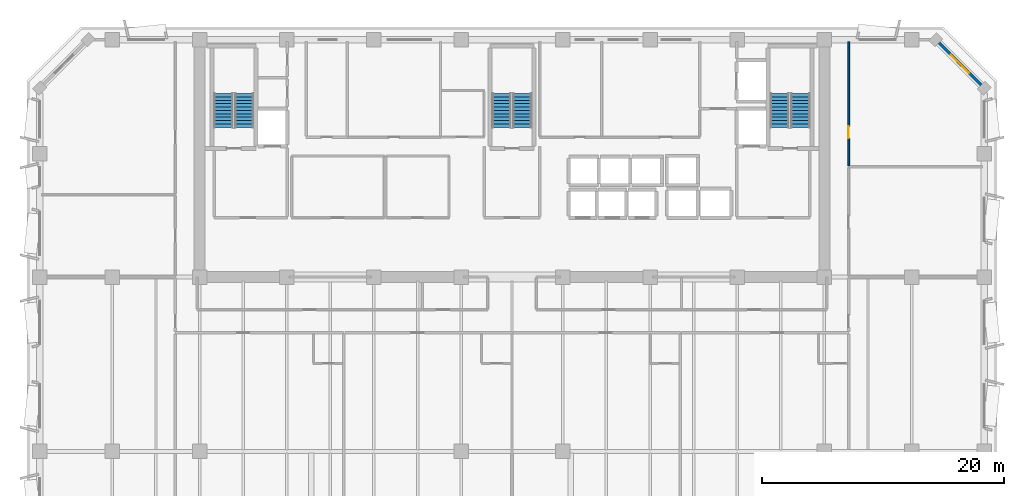
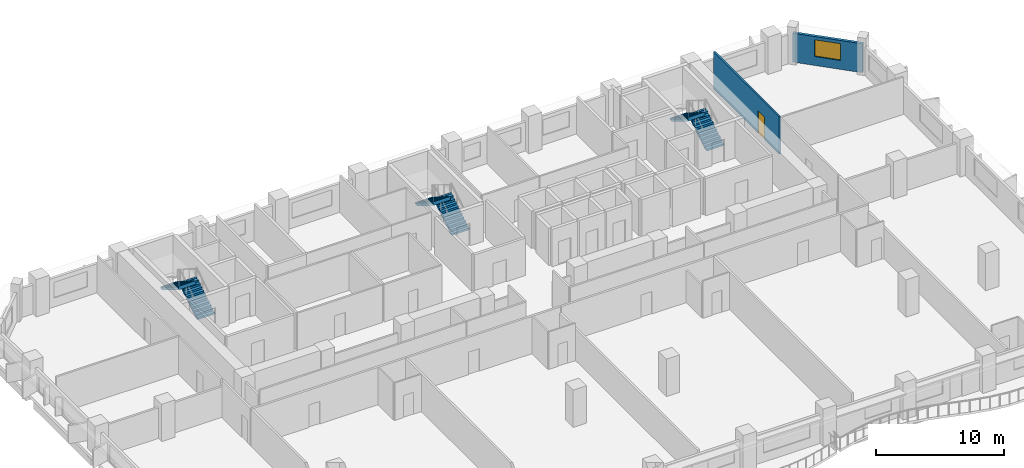
# One storey, part 9 of 14: 6 stair flights, 2 walls, 1 door, 1 window, 2 openings, 3 elements without a shape of their own.
"""IFC4 building model written with IfcOpenShell, lengths in metres."""

from ifc_helpers import new_model, si_unit, direction, frame, frame_2d, origin, place, context, subcontext, project, spatial, polyline, rectangle, outline, extrude, material, layer, layer_set, type_object, element, fill, aggregate, save


model = new_model("IFC4")

# Units and contexts
model_context = context("Model", 3, precision=1e-05, world=origin(), true_north=direction((0.0, 1.0)))
body_context = subcontext(model_context, "Body", "Model", "MODEL_VIEW")
ifc_project = project(units=[si_unit("LENGTHUNIT", "METRE"), si_unit("AREAUNIT", "SQUARE_METRE"), si_unit("VOLUMEUNIT", "CUBIC_METRE"), si_unit("PLANEANGLEUNIT", "RADIAN"), si_unit("MASSUNIT", "GRAM", prefix="KILO")], contexts=[model_context])

# Site, building, storey
site_placement = place(None, origin())
site = spatial("IfcSite", under=ifc_project, at=site_placement, CompositionType="ELEMENT")
building_placement = place(site_placement, origin())
building = spatial("IfcBuilding", under=site, at=building_placement, Name="Kaelvorn Grand Hotel", CompositionType="ELEMENT")
storey_placement = place(building_placement, frame((0.0, 0.0, 212.949951171875)))
storey = spatial("IfcBuildingStorey", under=building, at=storey_placement, Name="L52", CompositionType="ELEMENT", Elevation=212.949951171875)

# Wall, opening, window
ifc_material_1 = material(Name="Concrete C40/50", Category="concrete")
ifc_layer_1 = layer(ifc_material_1, 0.239990234375)
ifc_layer_set_1 = layer_set([ifc_layer_1], Name="Concrete C40/50")
wall_type_1 = type_object("IfcWallType", Name="WL-EXT-240-C40", PredefinedType="SOLIDWALL", material=ifc_layer_set_1)
wall_1_placement = place(storey_placement, frame((81.0, 45.0, 0.0), z_axis=(0.0, 0.0, 1.0), x_axis=(-0.707106781187, 0.707106781187, 0.0)))
wall_1 = element("IfcWall", 1, at=wall_1_placement, inside=storey, type_object=wall_type_1, Name="L52 Exterior Architectural Concrete Wall 04", PredefinedType="SOLIDWALL", context=body_context, shape_type="SweptSolid", body=[
    extrude(rectangle(XDim=5.65673828125, YDim=0.239990234375, at=frame_2d((2.828369140625, 0.0))), origin(), (0.0, 0.0, 1.0), 2.760009765625),
])
opening_1_placement = place(wall_1_placement, frame((1.7783203125, 0.0, 0.85009765625)))
opening_1 = element("IfcOpeningElement", 2, at=opening_1_placement, cuts=wall_1, Name="Opening W7", PredefinedType="OPENING", context=body_context, shape_type="SweptSolid", body=[
    extrude(rectangle(XDim=2.10009765625, YDim=1.60009765625, at=frame_2d((1.050048828125, 0.800048828125))), frame((0.0, 0.1298828125, 0.0), z_axis=(0.0, -1.0, 0.0), x_axis=(1.0, 0.0, 0.0)), (0.0, 0.0, 1.0), 0.260009765625),
])
ifc_material_2 = material(Name="Laminated Low-E Glass", Category="glass")
window_type = type_object("IfcWindowType", Name="WIN-CHM-2100x1600", PartitioningType="SINGLE_PANEL", PredefinedType="WINDOW", material=ifc_material_2)
window_placement = place(opening_1_placement, origin())
window = element("IfcWindow", 3, at=window_placement, inside=storey, type_object=window_type, Name="L52 Chamfered 45-Degree Corner Window NE", OverallHeight=1.60009765625, OverallWidth=2.10009765625, PartitioningType="SINGLE_PANEL", PredefinedType="WINDOW", context=body_context, shape_type="SweptSolid", body=[
    extrude(rectangle(XDim=2.10009765625, YDim=1.60009765625, at=frame_2d((1.050048828125, 0.800048828125))), frame((0.0, 0.030029296875, 0.0), z_axis=(0.0, -1.0, 0.0), x_axis=(1.0, 0.0, 0.0)), (0.0, 0.0, 1.0), 0.06005859375),
])
fill(opening_1, window)

# Wall, opening, door
ifc_material_3 = material(Name="Acoustic Gypsum & Stud Partition")
ifc_layer_2 = layer(ifc_material_3, 0.14990234375)
ifc_layer_set_2 = layer_set([ifc_layer_2], Name="Acoustic Gypsum & Stud Partition")
wall_type_2 = type_object("IfcWallType", Name="WL-PART-150-EI60", PredefinedType="PARTITIONING", material=ifc_layer_set_2)
wall_2_placement = place(storey_placement, frame((69.800048828125, 38.580078125, 0.0), z_axis=(0.0, 0.0, 1.0), x_axis=(0.0, 1.0, 0.0)))
wall_2 = element("IfcWall", 4, at=wall_2_placement, inside=storey, type_object=wall_type_2, Name="L52 North-East Botanical Conservatory Salon W Partition", PredefinedType="PARTITIONING", context=body_context, shape_type="SweptSolid", body=[
    extrude(rectangle(XDim=10.27001953125, YDim=0.14990234375, at=frame_2d((5.135009765625, 0.0))), origin(), (0.0, 0.0, 1.0), 3.56005859375),
])
opening_2_placement = place(wall_2_placement, frame((2.27001953125, 0.0, 0.0)))
opening_2 = element("IfcOpeningElement", 5, at=opening_2_placement, cuts=wall_2, Name="Opening DI3", PredefinedType="OPENING", context=body_context, shape_type="SweptSolid", body=[
    extrude(rectangle(XDim=1.0, YDim=2.14990234375, at=frame_2d((0.5, 1.074951171875))), frame((0.0, 0.0849609375, 0.0), z_axis=(0.0, -1.0, 0.0), x_axis=(1.0, 0.0, 0.0)), (0.0, 0.0, 1.0), 0.169921875),
])
ifc_material_4 = material(Name="Timber Veneer Fire Leaf", Category="wood")
door_type = type_object("IfcDoorType", Name="DR-INT-GUEST-1000x2150", OperationType="NOTDEFINED", PredefinedType="DOOR", material=ifc_material_4)
door_placement = place(opening_2_placement, origin())
door = element("IfcDoor", 6, at=door_placement, inside=storey, type_object=door_type, Name="L52 North-East Botanical Conservatory Salon Door", OperationType="SINGLE_SWING_LEFT", OverallHeight=2.14990234375, OverallWidth=1.0, PredefinedType="DOOR", context=body_context, shape_type="SweptSolid", body=[
    extrude(rectangle(XDim=1.0, YDim=2.14990234375, at=frame_2d((0.5, 1.074951171875))), frame((0.0, 0.02490234375, 0.0), z_axis=(0.0, -1.0, 0.0), x_axis=(1.0, 0.0, 0.0)), (0.0, 0.0, 1.0), 0.050048828125),
])
fill(opening_2, door)

# Stair, stair flights
stair_type = type_object("IfcStairType", Name="STR-DOG-1560-R08", PredefinedType="HALF_TURN_STAIR", material=ifc_material_1)
stair_1_placement = place(storey_placement, origin())
stair_1 = element("IfcStair", 7, at=stair_1_placement, inside=storey, type_object=stair_type, Name="L52 West Core Exit Stair ST1", PredefinedType="HALF_TURN_STAIR")
stair_flight_type = type_object("IfcStairFlightType", Name="FLG-DOG-1560-R08", PredefinedType="STRAIGHT", material=ifc_material_1)
stair_flight_1_placement = place(storey_placement, frame((19.89990234375, 41.760009765625, 0.0), z_axis=(0.0, 0.0, 1.0), x_axis=(0.0, 1.0, 0.0)))
stair_flight_1 = element("IfcStairFlight", 8, at=stair_flight_1_placement, type_object=stair_flight_type, Name="ST1 flight 1", NumberOfRisers=11, NumberOfTreads=10, PredefinedType="STRAIGHT", RiserHeight=0.172727273, TreadLength=0.28, context=body_context, shape_type="SweptSolid", body=[
    extrude(outline(polyline([(-0.0048828125, 0.0), (-0.0048828125, 0.0400390625), (0.0, 0.172607421875), (0.280029296875, 0.172607421875), (0.280029296875, 0.345458984375), (0.56005859375, 0.345458984375), (0.56005859375, 0.51806640625), (0.840087890625, 0.51806640625), (0.840087890625, 0.69091796875), (1.1201171875, 0.69091796875), (1.1201171875, 0.863525390625), (1.39990234375, 0.863525390625), (1.39990234375, 1.036376953125), (1.679931640625, 1.036376953125), (1.679931640625, 1.208984375), (1.9599609375, 1.208984375), (1.9599609375, 1.3818359375), (2.239990234375, 1.3818359375), (2.239990234375, 1.554443359375), (2.52001953125, 1.554443359375), (2.52001953125, 1.727294921875), (2.800048828125, 1.727294921875), (2.800048828125, 1.89990234375), (2.804931640625, 1.89990234375), (2.804931640625, 1.551025390625), (0.285400390625, 0.0), (-0.0048828125, 0.0)])), frame((0.0, 0.780029296875, 0.0), z_axis=(0.0, -1.0, 0.0), x_axis=(1.0, 0.0, 0.0)), (0.0, 0.0, 1.0), 1.56005859375),
])
stair_flight_2_placement = place(storey_placement, frame((18.179931640625, 44.56005859375, 1.900146484375), z_axis=(0.0, 0.0, 1.0), x_axis=(0.0, -1.0, 0.0)))
stair_flight_2 = element("IfcStairFlight", 9, at=stair_flight_2_placement, type_object=stair_flight_type, Name="ST1 flight 2", NumberOfRisers=11, NumberOfTreads=10, PredefinedType="STRAIGHT", RiserHeight=0.172727273, TreadLength=0.28, context=body_context, shape_type="SweptSolid", body=[
    extrude(outline(polyline([(-0.0048828125, 0.0), (-0.0048828125, 0.0400390625), (0.0, 0.172607421875), (0.280029296875, 0.172607421875), (0.280029296875, 0.345458984375), (0.56005859375, 0.345458984375), (0.56005859375, 0.51806640625), (0.840087890625, 0.51806640625), (0.840087890625, 0.69091796875), (1.1201171875, 0.69091796875), (1.1201171875, 0.863525390625), (1.39990234375, 0.863525390625), (1.39990234375, 1.036376953125), (1.679931640625, 1.036376953125), (1.679931640625, 1.208984375), (1.9599609375, 1.208984375), (1.9599609375, 1.3818359375), (2.239990234375, 1.3818359375), (2.239990234375, 1.554443359375), (2.52001953125, 1.554443359375), (2.52001953125, 1.727294921875), (2.800048828125, 1.727294921875), (2.800048828125, 1.89990234375), (2.804931640625, 1.89990234375), (2.804931640625, 1.551025390625), (0.285400390625, 0.0), (-0.0048828125, 0.0)])), frame((0.0, 0.780029296875, 0.0), z_axis=(0.0, -1.0, 0.0), x_axis=(1.0, 0.0, 0.0)), (0.0, 0.0, 1.0), 1.56005859375),
])
aggregate(stair_1, [stair_flight_1, stair_flight_2])

stair_2_placement = place(storey_placement, origin())
stair_2 = element("IfcStair", 10, at=stair_2_placement, inside=storey, type_object=stair_type, Name="L52 Central Core Exit Stair ST2", PredefinedType="HALF_TURN_STAIR")
stair_flight_3_placement = place(storey_placement, frame((42.860107421875, 41.760009765625, 0.0), z_axis=(0.0, 0.0, 1.0), x_axis=(0.0, 1.0, 0.0)))
stair_flight_3 = element("IfcStairFlight", 11, at=stair_flight_3_placement, type_object=stair_flight_type, Name="ST2 flight 1", NumberOfRisers=11, NumberOfTreads=10, PredefinedType="STRAIGHT", RiserHeight=0.172727273, TreadLength=0.28, context=body_context, shape_type="SweptSolid", body=[
    extrude(outline(polyline([(-0.0048828125, 0.0), (-0.0048828125, 0.0400390625), (0.0, 0.172607421875), (0.280029296875, 0.172607421875), (0.280029296875, 0.345458984375), (0.56005859375, 0.345458984375), (0.56005859375, 0.51806640625), (0.840087890625, 0.51806640625), (0.840087890625, 0.69091796875), (1.1201171875, 0.69091796875), (1.1201171875, 0.863525390625), (1.39990234375, 0.863525390625), (1.39990234375, 1.036376953125), (1.679931640625, 1.036376953125), (1.679931640625, 1.208984375), (1.9599609375, 1.208984375), (1.9599609375, 1.3818359375), (2.239990234375, 1.3818359375), (2.239990234375, 1.554443359375), (2.52001953125, 1.554443359375), (2.52001953125, 1.727294921875), (2.800048828125, 1.727294921875), (2.800048828125, 1.89990234375), (2.804931640625, 1.89990234375), (2.804931640625, 1.551025390625), (0.285400390625, 0.0), (-0.0048828125, 0.0)])), frame((0.0, 0.780029296875, 0.0), z_axis=(0.0, -1.0, 0.0), x_axis=(1.0, 0.0, 0.0)), (0.0, 0.0, 1.0), 1.56005859375),
])
stair_flight_4_placement = place(storey_placement, frame((41.139892578125, 44.56005859375, 1.900146484375), z_axis=(0.0, 0.0, 1.0), x_axis=(0.0, -1.0, 0.0)))
stair_flight_4 = element("IfcStairFlight", 12, at=stair_flight_4_placement, type_object=stair_flight_type, Name="ST2 flight 2", NumberOfRisers=11, NumberOfTreads=10, PredefinedType="STRAIGHT", RiserHeight=0.172727273, TreadLength=0.28, context=body_context, shape_type="SweptSolid", body=[
    extrude(outline(polyline([(-0.0048828125, 0.0), (-0.0048828125, 0.0400390625), (0.0, 0.172607421875), (0.280029296875, 0.172607421875), (0.280029296875, 0.345458984375), (0.56005859375, 0.345458984375), (0.56005859375, 0.51806640625), (0.840087890625, 0.51806640625), (0.840087890625, 0.69091796875), (1.1201171875, 0.69091796875), (1.1201171875, 0.863525390625), (1.39990234375, 0.863525390625), (1.39990234375, 1.036376953125), (1.679931640625, 1.036376953125), (1.679931640625, 1.208984375), (1.9599609375, 1.208984375), (1.9599609375, 1.3818359375), (2.239990234375, 1.3818359375), (2.239990234375, 1.554443359375), (2.52001953125, 1.554443359375), (2.52001953125, 1.727294921875), (2.800048828125, 1.727294921875), (2.800048828125, 1.89990234375), (2.804931640625, 1.89990234375), (2.804931640625, 1.551025390625), (0.285400390625, 0.0), (-0.0048828125, 0.0)])), frame((0.0, 0.780029296875, 0.0), z_axis=(0.0, -1.0, 0.0), x_axis=(1.0, 0.0, 0.0)), (0.0, 0.0, 1.0), 1.56005859375),
])
aggregate(stair_2, [stair_flight_3, stair_flight_4])

stair_3_placement = place(storey_placement, origin())
stair_3 = element("IfcStair", 13, at=stair_3_placement, inside=storey, type_object=stair_type, Name="L52 East Core Exit Stair ST3", PredefinedType="HALF_TURN_STAIR")
stair_flight_5_placement = place(storey_placement, frame((65.820068359375, 41.760009765625, 0.0), z_axis=(0.0, 0.0, 1.0), x_axis=(0.0, 1.0, 0.0)))
stair_flight_5 = element("IfcStairFlight", 14, at=stair_flight_5_placement, type_object=stair_flight_type, Name="ST3 flight 1", NumberOfRisers=11, NumberOfTreads=10, PredefinedType="STRAIGHT", RiserHeight=0.172727273, TreadLength=0.28, context=body_context, shape_type="SweptSolid", body=[
    extrude(outline(polyline([(-0.0048828125, 0.0), (-0.0048828125, 0.0400390625), (0.0, 0.172607421875), (0.280029296875, 0.172607421875), (0.280029296875, 0.345458984375), (0.56005859375, 0.345458984375), (0.56005859375, 0.51806640625), (0.840087890625, 0.51806640625), (0.840087890625, 0.69091796875), (1.1201171875, 0.69091796875), (1.1201171875, 0.863525390625), (1.39990234375, 0.863525390625), (1.39990234375, 1.036376953125), (1.679931640625, 1.036376953125), (1.679931640625, 1.208984375), (1.9599609375, 1.208984375), (1.9599609375, 1.3818359375), (2.239990234375, 1.3818359375), (2.239990234375, 1.554443359375), (2.52001953125, 1.554443359375), (2.52001953125, 1.727294921875), (2.800048828125, 1.727294921875), (2.800048828125, 1.89990234375), (2.804931640625, 1.89990234375), (2.804931640625, 1.551025390625), (0.285400390625, 0.0), (-0.0048828125, 0.0)])), frame((0.0, 0.780029296875, 0.0), z_axis=(0.0, -1.0, 0.0), x_axis=(1.0, 0.0, 0.0)), (0.0, 0.0, 1.0), 1.56005859375),
])
stair_flight_6_placement = place(storey_placement, frame((64.10009765625, 44.56005859375, 1.900146484375), z_axis=(0.0, 0.0, 1.0), x_axis=(0.0, -1.0, 0.0)))
stair_flight_6 = element("IfcStairFlight", 15, at=stair_flight_6_placement, type_object=stair_flight_type, Name="ST3 flight 2", NumberOfRisers=11, NumberOfTreads=10, PredefinedType="STRAIGHT", RiserHeight=0.172727273, TreadLength=0.28, context=body_context, shape_type="SweptSolid", body=[
    extrude(outline(polyline([(-0.0048828125, 0.0), (-0.0048828125, 0.0400390625), (0.0, 0.172607421875), (0.280029296875, 0.172607421875), (0.280029296875, 0.345458984375), (0.56005859375, 0.345458984375), (0.56005859375, 0.51806640625), (0.840087890625, 0.51806640625), (0.840087890625, 0.69091796875), (1.1201171875, 0.69091796875), (1.1201171875, 0.863525390625), (1.39990234375, 0.863525390625), (1.39990234375, 1.036376953125), (1.679931640625, 1.036376953125), (1.679931640625, 1.208984375), (1.9599609375, 1.208984375), (1.9599609375, 1.3818359375), (2.239990234375, 1.3818359375), (2.239990234375, 1.554443359375), (2.52001953125, 1.554443359375), (2.52001953125, 1.727294921875), (2.800048828125, 1.727294921875), (2.800048828125, 1.89990234375), (2.804931640625, 1.89990234375), (2.804931640625, 1.551025390625), (0.285400390625, 0.0), (-0.0048828125, 0.0)])), frame((0.0, 0.780029296875, 0.0), z_axis=(0.0, -1.0, 0.0), x_axis=(1.0, 0.0, 0.0)), (0.0, 0.0, 1.0), 1.56005859375),
])
aggregate(stair_3, [stair_flight_5, stair_flight_6])

save(model, "model.ifc")
